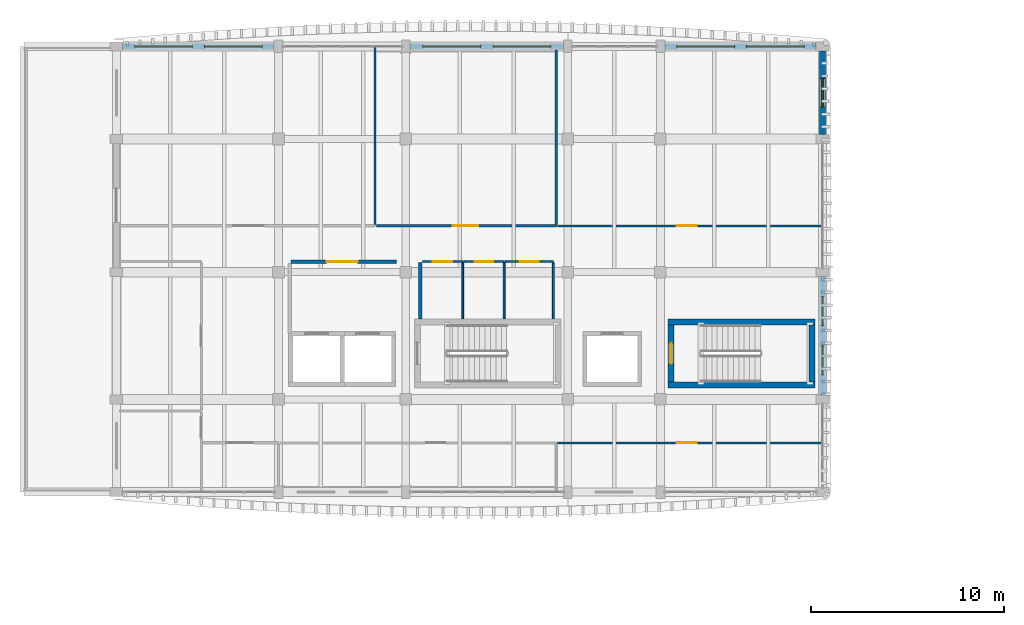
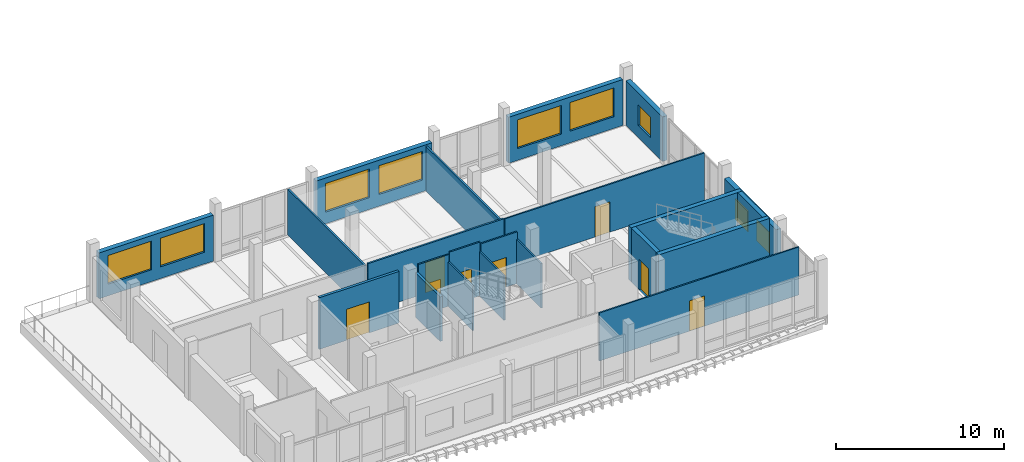
# One storey, part 11 of 20: 22 walls, 9 windows, 8 doors, 17 openings.
"""IFC4 building model written with IfcOpenShell, lengths in metres."""

from ifc_helpers import new_model, si_unit, direction, frame, frame_2d, origin, place, context, subcontext, project, spatial, rectangle, extrude, material, layer, layer_set, type_object, element, fill, save


model = new_model("IFC4")

# Units and contexts
model_context = context("Model", 3, precision=1e-05, world=origin(), true_north=direction((0.0, 1.0)))
body_context = subcontext(model_context, "Body", "Model", "MODEL_VIEW")
ifc_project = project(units=[si_unit("LENGTHUNIT", "METRE"), si_unit("AREAUNIT", "SQUARE_METRE"), si_unit("VOLUMEUNIT", "CUBIC_METRE"), si_unit("PLANEANGLEUNIT", "RADIAN"), si_unit("MASSUNIT", "GRAM", prefix="KILO")], contexts=[model_context])

# Site, building, storey
site_placement = place(None, origin())
site = spatial("IfcSite", under=ifc_project, at=site_placement, CompositionType="ELEMENT")
building_placement = place(site_placement, origin())
building = spatial("IfcBuilding", under=site, at=building_placement, Name="Dornvale Research Institute", CompositionType="ELEMENT")
storey_placement = place(building_placement, frame((0.0, 0.0, 34.199951171875)))
storey = spatial("IfcBuildingStorey", under=building, at=storey_placement, Name="L07", CompositionType="ELEMENT", Elevation=34.199951171875)

# Wall
ifc_material_1 = material(Name="Acoustic Insulated Double-Stud Laboratory Partition")
ifc_layer_1 = layer(ifc_material_1, 0.1201171875)
ifc_layer_set_1 = layer_set([ifc_layer_1], Name="Acoustic Insulated Double-Stud Laboratory Partition")
wall_type_1 = type_object("IfcWallType", Name="Partition_Dry_120", PredefinedType="PARTITIONING", material=ifc_layer_set_1)
wall_1_placement = place(storey_placement, frame((18.199951171875, 112.875, 0.0), z_axis=(0.0, 0.0, 1.0), x_axis=(0.0, 1.0, 0.0)))
element("IfcWall", 1, at=wall_1_placement, inside=storey, type_object=wall_type_1, Name="L07 V5 interior partition #549", PredefinedType="PARTITIONING", context=body_context, shape_type="SweptSolid", body=[
    extrude(rectangle(XDim=9.18505859375, YDim=0.1201171875, at=frame_2d((4.592529296875, 0.0))), origin(), (0.0, 0.0, 1.0), 3.330078125),
])

# Wall, opening, door
wall_2_placement = place(storey_placement, frame((18.27490234375, 112.800048828125, 0.0), z_axis=(0.0, 0.0, 1.0), x_axis=(1.0, 0.0, 0.0)))
wall_2 = element("IfcWall", 2, at=wall_2_placement, inside=storey, type_object=wall_type_1, Name="L07 V5 interior partition #550", PredefinedType="PARTITIONING", context=body_context, shape_type="SweptSolid", body=[
    extrude(rectangle(XDim=9.3251953125, YDim=0.1201171875, at=frame_2d((4.66259765625, 0.0))), origin(), (0.0, 0.0, 1.0), 3.530029296875),
])
opening_1_placement = place(wall_2_placement, frame((3.965087890625, 0.0, 0.0)))
opening_1 = element("IfcOpeningElement", 3, at=opening_1_placement, cuts=wall_2, Name="Opening ID-09", PredefinedType="OPENING", context=body_context, shape_type="SweptSolid", body=[
    extrude(rectangle(XDim=1.320068359375, YDim=2.199951171875, at=frame_2d((0.66015625, 1.10009765625))), frame((0.0, 0.074951171875, 0.0), z_axis=(0.0, -1.0, 0.0), x_axis=(1.0, 0.0, 0.0)), (0.0, 0.0, 1.0), 0.150146484375),
])
ifc_material_2 = material(Name="Phenolic-Faced Solid-Core Laboratory Door Assembly")
door_type_1 = type_object("IfcDoorType", Name="Door_DryLab_1320x2200", OperationType="SINGLE_SWING_LEFT", PredefinedType="DOOR", material=ifc_material_2)
door_1_placement = place(opening_1_placement, origin())
door_1 = element("IfcDoor", 4, at=door_1_placement, inside=storey, type_object=door_type_1, Name="L07 Earth Observation Remote Sensing Lab door #227", OperationType="SINGLE_SWING_RIGHT", OverallHeight=2.199951171875, OverallWidth=1.320068359375, PredefinedType="DOOR", context=body_context, shape_type="SweptSolid", body=[
    extrude(rectangle(XDim=1.320068359375, YDim=2.199951171875, at=frame_2d((0.66015625, 1.10009765625))), frame((0.0, 0.02490234375, 0.0), z_axis=(0.0, -1.0, 0.0), x_axis=(1.0, 0.0, 0.0)), (0.0, 0.0, 1.0), 0.050048828125),
])
fill(opening_1, door_1)

# Wall
wall_3_placement = place(storey_placement, frame((27.60009765625, 112.875, 0.0), z_axis=(0.0, 0.0, 1.0), x_axis=(0.0, 1.0, 0.0)))
element("IfcWall", 5, at=wall_3_placement, inside=storey, type_object=wall_type_1, Name="L07 V5 interior partition #551", PredefinedType="PARTITIONING", context=body_context, shape_type="SweptSolid", body=[
    extrude(rectangle(XDim=9.050048828125, YDim=0.1201171875, at=frame_2d((4.52490234375, 0.0))), origin(), (0.0, 0.0, 1.0), 3.22998046875),
])

# Wall, opening, door
ifc_material_3 = material(Name="Fire-Rated Gypsum Board on Cold-Formed Steel Studs", Category="steel")
ifc_layer_2 = layer(ifc_material_3, 0.179931640625)
ifc_layer_set_2 = layer_set([ifc_layer_2], Name="Fire-Rated Gypsum Board on Cold-Formed Steel Studs")
wall_type_2 = type_object("IfcWallType", Name="Partition_FireLobby_180", PredefinedType="PARTITIONING", material=ifc_layer_set_2)
wall_4_placement = place(storey_placement, frame((13.85009765625, 110.949951171875, 0.0), z_axis=(0.0, 0.0, 1.0), x_axis=(1.0, 0.0, 0.0)))
wall_4 = element("IfcWall", 6, at=wall_4_placement, inside=storey, type_object=wall_type_2, Name="L07 Fire Service Access Elevator Lobby north rated partition", PredefinedType="PARTITIONING", context=body_context, shape_type="SweptSolid", body=[
    extrude(rectangle(XDim=5.469970703125, YDim=0.179931640625, at=frame_2d((2.73486328125, 0.0))), origin(), (0.0, 0.0, 1.0), 3.7451171875),
])
opening_2_placement = place(wall_4_placement, frame((1.85009765625, 0.0, 0.0)))
opening_2 = element("IfcOpeningElement", 7, at=opening_2_placement, cuts=wall_4, Name="Opening FD-01", PredefinedType="OPENING", context=body_context, shape_type="SweptSolid", body=[
    extrude(rectangle(XDim=1.60009765625, YDim=2.25, at=frame_2d((0.800048828125, 1.125))), frame((0.0, 0.10498046875, 0.0), z_axis=(0.0, -1.0, 0.0), x_axis=(1.0, 0.0, 0.0)), (0.0, 0.0, 1.0), 0.2099609375),
])
ifc_material_4 = material(Name="Insulated Fire-Rated Hollow Metal Door Assembly")
door_type_2 = type_object("IfcDoorType", Name="Door_FireLobby_1600x2250", OperationType="SINGLE_SWING_LEFT", PredefinedType="DOOR", material=ifc_material_4)
door_2_placement = place(opening_2_placement, origin())
door_2 = element("IfcDoor", 8, at=door_2_placement, inside=storey, type_object=door_type_2, Name="L07 Fire Service Access Elevator Lobby door", OperationType="DOUBLE_DOOR_SINGLE_SWING", OverallHeight=2.25, OverallWidth=1.60009765625, PredefinedType="DOOR", context=body_context, shape_type="SweptSolid", body=[
    extrude(rectangle(XDim=1.60009765625, YDim=2.25, at=frame_2d((0.800048828125, 1.125))), frame((0.0, 0.02490234375, 0.0), z_axis=(0.0, -1.0, 0.0), x_axis=(1.0, 0.0, 0.0)), (0.0, 0.0, 1.0), 0.050048828125),
])
fill(opening_2, door_2)

# Wall
wall_5_placement = place(storey_placement, frame((20.56005859375, 107.97998046875, 0.0), z_axis=(0.0, 0.0, 1.0), x_axis=(0.0, 1.0, 0.0)))
element("IfcWall", 9, at=wall_5_placement, inside=storey, type_object=wall_type_2, Name="L07 Fire Service Access Elevator Lobby east rated partition", PredefinedType="PARTITIONING", context=body_context, shape_type="SweptSolid", body=[
    extrude(rectangle(XDim=2.909912109375, YDim=0.179931640625, at=frame_2d((1.455078125, 0.0))), origin(), (0.0, 0.0, 1.0), 3.22998046875),
])

# Wall, opening, door
ifc_material_5 = material(Name="Acoustic Insulated Double-Stud Laboratory Partition")
ifc_layer_3 = layer(ifc_material_5, 0.10009765625)
ifc_layer_set_3 = layer_set([ifc_layer_3], Name="Acoustic Insulated Double-Stud Laboratory Partition")
wall_type_3 = type_object("IfcWallType", Name="Partition_Office_100", PredefinedType="PARTITIONING", material=ifc_layer_set_3)
wall_6_placement = place(storey_placement, frame((20.6650390625, 110.949951171875, 0.0), z_axis=(0.0, 0.0, 1.0), x_axis=(1.0, 0.0, 0.0)))
wall_6 = element("IfcWall", 10, at=wall_6_placement, inside=storey, type_object=wall_type_3, Name="L07 V5 interior partition #539", PredefinedType="PARTITIONING", context=body_context, shape_type="SweptSolid", body=[
    extrude(rectangle(XDim=2.0849609375, YDim=0.10009765625, at=frame_2d((1.04248046875, 0.0))), origin(), (0.0, 0.0, 1.0), 3.7451171875),
])
opening_3_placement = place(wall_6_placement, frame((0.534912109375, 0.0, 0.0)))
opening_3 = element("IfcOpeningElement", 11, at=opening_3_placement, cuts=wall_6, Name="Opening ID-24", PredefinedType="OPENING", context=body_context, shape_type="SweptSolid", body=[
    extrude(rectangle(XDim=1.0, YDim=2.14990234375, at=frame_2d((0.5, 1.074951171875))), frame((0.0, 0.06494140625, 0.0), z_axis=(0.0, -1.0, 0.0), x_axis=(1.0, 0.0, 0.0)), (0.0, 0.0, 1.0), 0.130126953125),
])
ifc_material_6 = material(Name="Phenolic-Faced Solid-Core Laboratory Door Assembly")
door_type_3 = type_object("IfcDoorType", Name="Door_AccWC_1000x2150", OperationType="SINGLE_SWING_LEFT", PredefinedType="DOOR", material=ifc_material_6)
door_3_placement = place(opening_3_placement, origin())
door_3 = element("IfcDoor", 12, at=door_3_placement, inside=storey, type_object=door_type_3, Name="L07 Male Restroom L07 door #222", OperationType="SINGLE_SWING_LEFT", OverallHeight=2.14990234375, OverallWidth=1.0, PredefinedType="DOOR", context=body_context, shape_type="SweptSolid", body=[
    extrude(rectangle(XDim=1.0, YDim=2.14990234375, at=frame_2d((0.5, 1.074951171875))), frame((0.0, 0.02490234375, 0.0), z_axis=(0.0, -1.0, 0.0), x_axis=(1.0, 0.0, 0.0)), (0.0, 0.0, 1.0), 0.050048828125),
])
fill(opening_3, door_3)

# Wall
wall_7_placement = place(storey_placement, frame((22.75, 107.97998046875, 0.0), z_axis=(0.0, 0.0, 1.0), x_axis=(0.0, 1.0, 0.0)))
element("IfcWall", 13, at=wall_7_placement, inside=storey, type_object=wall_type_3, Name="L07 V5 interior partition #540", PredefinedType="PARTITIONING", context=body_context, shape_type="SweptSolid", body=[
    extrude(rectangle(XDim=2.905029296875, YDim=0.10009765625, at=frame_2d((1.45263671875, 0.0))), origin(), (0.0, 0.0, 1.0), 3.22998046875),
])

# Wall, opening, door
wall_8_placement = place(storey_placement, frame((22.81494140625, 110.949951171875, 0.0), z_axis=(0.0, 0.0, 1.0), x_axis=(1.0, 0.0, 0.0)))
wall_8 = element("IfcWall", 14, at=wall_8_placement, inside=storey, type_object=wall_type_3, Name="L07 V5 interior partition #541", PredefinedType="PARTITIONING", context=body_context, shape_type="SweptSolid", body=[
    extrude(rectangle(XDim=2.0849609375, YDim=0.10009765625, at=frame_2d((1.04248046875, 0.0))), origin(), (0.0, 0.0, 1.0), 3.900146484375),
])
opening_4_placement = place(wall_8_placement, frame((0.56005859375, 0.0, 0.0)))
opening_4 = element("IfcOpeningElement", 15, at=opening_4_placement, cuts=wall_8, Name="Opening ID-23", PredefinedType="OPENING", context=body_context, shape_type="SweptSolid", body=[
    extrude(rectangle(XDim=0.949951171875, YDim=2.14990234375, at=frame_2d((0.47509765625, 1.074951171875))), frame((0.0, 0.06494140625, 0.0), z_axis=(0.0, -1.0, 0.0), x_axis=(1.0, 0.0, 0.0)), (0.0, 0.0, 1.0), 0.130126953125),
])
ifc_material_7 = material(Name="Phenolic-Faced Solid-Core Laboratory Door Assembly")
door_type_4 = type_object("IfcDoorType", Name="Door_WC_950x2150", OperationType="SINGLE_SWING_LEFT", PredefinedType="DOOR", material=ifc_material_7)
door_4_placement = place(opening_4_placement, origin())
door_4 = element("IfcDoor", 16, at=door_4_placement, inside=storey, type_object=door_type_4, Name="L07 Female Restroom L07 door #223", OperationType="SINGLE_SWING_RIGHT", OverallHeight=2.14990234375, OverallWidth=0.949951171875, PredefinedType="DOOR", context=body_context, shape_type="SweptSolid", body=[
    extrude(rectangle(XDim=0.949951171875, YDim=2.14990234375, at=frame_2d((0.47509765625, 1.074951171875))), frame((0.0, 0.02490234375, 0.0), z_axis=(0.0, -1.0, 0.0), x_axis=(1.0, 0.0, 0.0)), (0.0, 0.0, 1.0), 0.050048828125),
])
fill(opening_4, door_4)

# Wall
wall_9_placement = place(storey_placement, frame((24.89990234375, 107.97998046875, 0.0), z_axis=(0.0, 0.0, 1.0), x_axis=(0.0, 1.0, 0.0)))
element("IfcWall", 17, at=wall_9_placement, inside=storey, type_object=wall_type_3, Name="L07 V5 interior partition #542", PredefinedType="PARTITIONING", context=body_context, shape_type="SweptSolid", body=[
    extrude(rectangle(XDim=2.905029296875, YDim=0.10009765625, at=frame_2d((1.45263671875, 0.0))), origin(), (0.0, 0.0, 1.0), 3.22998046875),
])

# Wall, opening, door
wall_10_placement = place(storey_placement, frame((24.965087890625, 110.949951171875, 0.0), z_axis=(0.0, 0.0, 1.0), x_axis=(1.0, 0.0, 0.0)))
wall_10 = element("IfcWall", 18, at=wall_10_placement, inside=storey, type_object=wall_type_3, Name="L07 V5 interior partition #543", PredefinedType="PARTITIONING", context=body_context, shape_type="SweptSolid", body=[
    extrude(rectangle(XDim=2.48486328125, YDim=0.10009765625, at=frame_2d((1.242431640625, 0.0))), origin(), (0.0, 0.0, 1.0), 3.7451171875),
])
opening_5_placement = place(wall_10_placement, frame((0.735107421875, 0.0, 0.0)))
opening_5 = element("IfcOpeningElement", 19, at=opening_5_placement, cuts=wall_10, Name="Opening ID-24", PredefinedType="OPENING", context=body_context, shape_type="SweptSolid", body=[
    extrude(rectangle(XDim=1.0, YDim=2.14990234375, at=frame_2d((0.5, 1.074951171875))), frame((0.0, 0.06494140625, 0.0), z_axis=(0.0, -1.0, 0.0), x_axis=(1.0, 0.0, 0.0)), (0.0, 0.0, 1.0), 0.130126953125),
])
door_5_placement = place(opening_5_placement, origin())
door_5 = element("IfcDoor", 20, at=door_5_placement, inside=storey, type_object=door_type_3, Name="L07 Accessible Restroom L07 door #224", OperationType="SINGLE_SWING_LEFT", OverallHeight=2.14990234375, OverallWidth=1.0, PredefinedType="DOOR", context=body_context, shape_type="SweptSolid", body=[
    extrude(rectangle(XDim=1.0, YDim=2.14990234375, at=frame_2d((0.5, 1.074951171875))), frame((0.0, 0.02490234375, 0.0), z_axis=(0.0, -1.0, 0.0), x_axis=(1.0, 0.0, 0.0)), (0.0, 0.0, 1.0), 0.050048828125),
])
fill(opening_5, door_5)

# Wall
wall_11_placement = place(storey_placement, frame((27.449951171875, 107.97998046875, 0.0), z_axis=(0.0, 0.0, 1.0), x_axis=(0.0, 1.0, 0.0)))
element("IfcWall", 21, at=wall_11_placement, inside=storey, type_object=wall_type_3, Name="L07 V5 interior partition #544", PredefinedType="PARTITIONING", context=body_context, shape_type="SweptSolid", body=[
    extrude(rectangle(XDim=2.905029296875, YDim=0.10009765625, at=frame_2d((1.45263671875, 0.0))), origin(), (0.0, 0.0, 1.0), 3.22998046875),
])

# Wall, opening, door
wall_12_placement = place(storey_placement, frame((27.675048828125, 112.800048828125, 0.0), z_axis=(0.0, 0.0, 1.0), x_axis=(1.0, 0.0, 0.0)))
wall_12 = element("IfcWall", 22, at=wall_12_placement, inside=storey, type_object=wall_type_3, Name="L07 V5 interior partition #552", PredefinedType="PARTITIONING", context=body_context, shape_type="SweptSolid", body=[
    extrude(rectangle(XDim=13.68505859375, YDim=0.10009765625, at=frame_2d((6.842529296875, 0.0))), origin(), (0.0, 0.0, 1.0), 3.47998046875),
])
opening_6_placement = place(wall_12_placement, frame((6.175048828125, 0.0, 0.0)))
opening_6 = element("IfcOpeningElement", 23, at=opening_6_placement, cuts=wall_12, Name="Opening ID-20", PredefinedType="OPENING", context=body_context, shape_type="SweptSolid", body=[
    extrude(rectangle(XDim=1.02001953125, YDim=2.199951171875, at=frame_2d((0.510009765625, 1.10009765625))), frame((0.0, 0.06494140625, 0.0), z_axis=(0.0, -1.0, 0.0), x_axis=(1.0, 0.0, 0.0)), (0.0, 0.0, 1.0), 0.130126953125),
])
ifc_material_8 = material(Name="Phenolic-Faced Solid-Core Laboratory Door Assembly")
door_type_5 = type_object("IfcDoorType", Name="Door_WriteUp_1020x2200", OperationType="SINGLE_SWING_LEFT", PredefinedType="DOOR", material=ifc_material_8)
door_6_placement = place(opening_6_placement, origin())
door_6 = element("IfcDoor", 24, at=door_6_placement, inside=storey, type_object=door_type_5, Name="L07 Researcher Write-Up Studio L07 door #228", OperationType="SINGLE_SWING_LEFT", OverallHeight=2.199951171875, OverallWidth=1.02001953125, PredefinedType="DOOR", context=body_context, shape_type="SweptSolid", body=[
    extrude(rectangle(XDim=1.02001953125, YDim=2.199951171875, at=frame_2d((0.510009765625, 1.10009765625))), frame((0.0, 0.02490234375, 0.0), z_axis=(0.0, -1.0, 0.0), x_axis=(1.0, 0.0, 0.0)), (0.0, 0.0, 1.0), 0.050048828125),
])
fill(opening_6, door_6)

wall_13_placement = place(storey_placement, frame((27.6650390625, 101.550048828125, 0.0), z_axis=(0.0, 0.0, 1.0), x_axis=(1.0, 0.0, 0.0)))
wall_13 = element("IfcWall", 25, at=wall_13_placement, inside=storey, type_object=wall_type_3, Name="L07 V5 interior partition #558", PredefinedType="PARTITIONING", context=body_context, shape_type="SweptSolid", body=[
    extrude(rectangle(XDim=13.695068359375, YDim=0.10009765625, at=frame_2d((6.84765625, 0.0))), origin(), (0.0, 0.0, 1.0), 3.47998046875),
])
opening_7_placement = place(wall_13_placement, frame((6.18505859375, 0.0, 0.0)))
opening_7 = element("IfcOpeningElement", 26, at=opening_7_placement, cuts=wall_13, Name="Opening ID-20", PredefinedType="OPENING", context=body_context, shape_type="SweptSolid", body=[
    extrude(rectangle(XDim=1.02001953125, YDim=2.199951171875, at=frame_2d((0.510009765625, 1.10009765625))), frame((0.0, 0.06494140625, 0.0), z_axis=(0.0, -1.0, 0.0), x_axis=(1.0, 0.0, 0.0)), (0.0, 0.0, 1.0), 0.130126953125),
])
door_7_placement = place(opening_7_placement, origin())
door_7 = element("IfcDoor", 27, at=door_7_placement, inside=storey, type_object=door_type_5, Name="L07 Academic Write-Up Studio L07-S door #232", OperationType="SINGLE_SWING_LEFT", OverallHeight=2.199951171875, OverallWidth=1.02001953125, PredefinedType="DOOR", context=body_context, shape_type="SweptSolid", body=[
    extrude(rectangle(XDim=1.02001953125, YDim=2.199951171875, at=frame_2d((0.510009765625, 1.10009765625))), frame((0.0, 0.02490234375, 0.0), z_axis=(0.0, -1.0, 0.0), x_axis=(1.0, 0.0, 0.0)), (0.0, 0.0, 1.0), 0.050048828125),
])
fill(opening_7, door_7)

# Walls
ifc_material_9 = material(Name="Concrete f'c 50 MPa (C40/50)", Category="concrete")
ifc_layer_4 = layer(ifc_material_9, 0.300048828125)
ifc_layer_set_4 = layer_set([ifc_layer_4], Name="Concrete f'c 50 MPa (C40/50)")
wall_type_4 = type_object("IfcWallType", Name="ShearWall_Core_300", PredefinedType="SHEAR", material=ifc_layer_set_4)
for number, where, z_axis, x_axis, name in (
    (28, (33.39990234375, 104.550048828125, 0.0), (0.0, 0.0, 1.0), (1.0, 0.0, 0.0), "L07 ST-2 shaft shear wall south"),
    (29, (33.39990234375, 107.81005859375, 0.0), (0.0, 0.0, 1.0), (1.0, 0.0, 0.0), "L07 ST-2 shaft shear wall north"),
):
    element("IfcWall", number, at=place(storey_placement, frame(where, z_axis=z_axis, x_axis=x_axis)), inside=storey, type_object=wall_type_4, Name=name, PredefinedType="SHEAR", context=body_context, shape_type="SweptSolid", body=[
        extrude(rectangle(XDim=7.60009765625, YDim=0.300048828125, at=frame_2d((3.800048828125, 0.0))), origin(), (0.0, 0.0, 1.0), 3.920166015625),
    ])

# Wall, opening, door
wall_14_placement = place(storey_placement, frame((33.550048828125, 104.699951171875, 0.0), z_axis=(0.0, 0.0, 1.0), x_axis=(0.0, 1.0, 0.0)))
wall_14 = element("IfcWall", 30, at=wall_14_placement, inside=storey, type_object=wall_type_4, Name="L07 ST-2 shaft shear wall west", PredefinedType="SHEAR", context=body_context, shape_type="SweptSolid", body=[
    extrude(rectangle(XDim=2.9599609375, YDim=0.300048828125, at=frame_2d((1.47998046875, 0.0))), origin(), (0.0, 0.0, 1.0), 3.920166015625),
])
opening_8_placement = place(wall_14_placement, frame((0.93994140625, 0.0, 0.0)))
opening_8 = element("IfcOpeningElement", 31, at=opening_8_placement, cuts=wall_14, Name="Opening SD-02", PredefinedType="OPENING", context=body_context, shape_type="SweptSolid", body=[
    extrude(rectangle(XDim=1.080078125, YDim=2.199951171875, at=frame_2d((0.5400390625, 1.10009765625))), frame((0.0, 0.1650390625, 0.0), z_axis=(0.0, -1.0, 0.0), x_axis=(1.0, 0.0, 0.0)), (0.0, 0.0, 1.0), 0.330078125),
])
ifc_material_10 = material(Name="Insulated Fire-Rated Hollow Metal Door Assembly")
door_type_6 = type_object("IfcDoorType", Name="Door_Stair_1080x2200", OperationType="SINGLE_SWING_LEFT", PredefinedType="DOOR", material=ifc_material_10)
door_8_placement = place(opening_8_placement, origin())
door_8 = element("IfcDoor", 32, at=door_8_placement, inside=storey, type_object=door_type_6, Name="L07 ST-2 exit stair door #21", OperationType="SINGLE_SWING_RIGHT", OverallHeight=2.199951171875, OverallWidth=1.080078125, PredefinedType="DOOR", context=body_context, shape_type="SweptSolid", body=[
    extrude(rectangle(XDim=1.080078125, YDim=2.199951171875, at=frame_2d((0.5400390625, 1.10009765625))), frame((0.0, 0.02490234375, 0.0), z_axis=(0.0, -1.0, 0.0), x_axis=(1.0, 0.0, 0.0)), (0.0, 0.0, 1.0), 0.050048828125),
])
fill(opening_8, door_8)

# Wall
wall_15_placement = place(storey_placement, frame((40.85009765625, 104.699951171875, 0.0), z_axis=(0.0, 0.0, 1.0), x_axis=(0.0, 1.0, 0.0)))
element("IfcWall", 33, at=wall_15_placement, inside=storey, type_object=wall_type_4, Name="L07 ST-2 shaft shear wall east", PredefinedType="SHEAR", context=body_context, shape_type="SweptSolid", body=[
    extrude(rectangle(XDim=2.9599609375, YDim=0.300048828125, at=frame_2d((1.47998046875, 0.0))), origin(), (0.0, 0.0, 1.0), 3.920166015625),
])

# Wall, openings, windows
ifc_material_11 = material(Name="Catalan Pressed Brick and Insulated Cavity Assembly", Category="masonry")
ifc_layer_5 = layer(ifc_material_11, 0.320068359375)
ifc_layer_set_5 = layer_set([ifc_layer_5], Name="Catalan Pressed Brick and Insulated Cavity Assembly")
wall_type_5 = type_object("IfcWallType", Name="StandardWall_BrickCavity_320", PredefinedType="STANDARD", material=ifc_layer_set_5)
wall_16_placement = place(storey_placement, frame((5.125, 122.10009765625, 0.0), z_axis=(0.0, 0.0, 1.0), x_axis=(1.0, 0.0, 0.0)))
wall_16 = element("IfcWall", 34, at=wall_16_placement, inside=storey, type_object=wall_type_5, Name="L07 V5 north exterior wall #385", PredefinedType="STANDARD", context=body_context, shape_type="SweptSolid", body=[
    extrude(rectangle(XDim=7.85009765625, YDim=0.320068359375, at=frame_2d((3.925048828125, 0.0))), origin(), (0.0, 0.0, 1.0), 3.330078125),
])
opening_9_placement = place(wall_16_placement, frame((0.61669921875, 0.0, 0.85009765625)))
opening_9 = element("IfcOpeningElement", 35, at=opening_9_placement, cuts=wall_16, Name="Opening W-48", PredefinedType="OPENING", context=body_context, shape_type="SweptSolid", body=[
    extrude(rectangle(XDim=3.0, YDim=2.080078125, at=frame_2d((1.5, 1.0400390625))), frame((0.0, 0.175048828125, 0.0), z_axis=(0.0, -1.0, 0.0), x_axis=(1.0, 0.0, 0.0)), (0.0, 0.0, 1.0), 0.35009765625),
])
opening_10_placement = place(wall_16_placement, frame((4.2333984375, 0.0, 0.85009765625)))
opening_10 = element("IfcOpeningElement", 36, at=opening_10_placement, cuts=wall_16, Name="Opening W-48", PredefinedType="OPENING", context=body_context, shape_type="SweptSolid", body=[
    extrude(rectangle(XDim=3.0, YDim=2.080078125, at=frame_2d((1.5, 1.0400390625))), frame((0.0, 0.175048828125, 0.0), z_axis=(0.0, -1.0, 0.0), x_axis=(1.0, 0.0, 0.0)), (0.0, 0.0, 1.0), 0.35009765625),
])
ifc_material_12 = material(Name="Low-E Argon Double Insulating Glazing Unit", Category="glass")
window_type_1 = type_object("IfcWindowType", Name="Window_Alu_3000x2080_48", PartitioningType="DOUBLE_PANEL_VERTICAL", PredefinedType="WINDOW", material=ifc_material_12)
window_1_placement = place(opening_9_placement, origin())
window_1 = element("IfcWindow", 37, at=window_1_placement, inside=storey, type_object=window_type_1, Name="L07 V5 facade window W-48 #509", OverallHeight=2.080078125, OverallWidth=3.0, PartitioningType="DOUBLE_PANEL_VERTICAL", PredefinedType="WINDOW", context=body_context, shape_type="SweptSolid", body=[
    extrude(rectangle(XDim=3.0, YDim=2.080078125, at=frame_2d((1.5, 1.0400390625))), frame((0.0, 0.030029296875, 0.0), z_axis=(0.0, -1.0, 0.0), x_axis=(1.0, 0.0, 0.0)), (0.0, 0.0, 1.0), 0.06005859375),
])
fill(opening_9, window_1)
window_2_placement = place(opening_10_placement, origin())
window_2 = element("IfcWindow", 38, at=window_2_placement, inside=storey, type_object=window_type_1, Name="L07 V5 facade window W-48 #510", OverallHeight=2.080078125, OverallWidth=3.0, PartitioningType="DOUBLE_PANEL_VERTICAL", PredefinedType="WINDOW", context=body_context, shape_type="SweptSolid", body=[
    extrude(rectangle(XDim=3.0, YDim=2.080078125, at=frame_2d((1.5, 1.0400390625))), frame((0.0, 0.030029296875, 0.0), z_axis=(0.0, -1.0, 0.0), x_axis=(1.0, 0.0, 0.0)), (0.0, 0.0, 1.0), 0.06005859375),
])
fill(opening_10, window_2)

wall_17_placement = place(storey_placement, frame((20.02490234375, 122.10009765625, 0.0), z_axis=(0.0, 0.0, 1.0), x_axis=(1.0, 0.0, 0.0)))
wall_17 = element("IfcWall", 39, at=wall_17_placement, inside=storey, type_object=wall_type_5, Name="L07 V5 north exterior wall #386", PredefinedType="STANDARD", context=body_context, shape_type="SweptSolid", body=[
    extrude(rectangle(XDim=7.9501953125, YDim=0.320068359375, at=frame_2d((3.97509765625, 0.0))), origin(), (0.0, 0.0, 1.0), 3.330078125),
])
opening_11_placement = place(wall_17_placement, frame((0.64990234375, 0.0, 0.85009765625)))
opening_11 = element("IfcOpeningElement", 40, at=opening_11_placement, cuts=wall_17, Name="Opening W-48", PredefinedType="OPENING", context=body_context, shape_type="SweptSolid", body=[
    extrude(rectangle(XDim=3.0, YDim=2.080078125, at=frame_2d((1.5, 1.0400390625))), frame((0.0, 0.175048828125, 0.0), z_axis=(0.0, -1.0, 0.0), x_axis=(1.0, 0.0, 0.0)), (0.0, 0.0, 1.0), 0.35009765625),
])
opening_12_placement = place(wall_17_placement, frame((4.300048828125, 0.0, 0.85009765625)))
opening_12 = element("IfcOpeningElement", 41, at=opening_12_placement, cuts=wall_17, Name="Opening W-48", PredefinedType="OPENING", context=body_context, shape_type="SweptSolid", body=[
    extrude(rectangle(XDim=3.0, YDim=2.080078125, at=frame_2d((1.5, 1.0400390625))), frame((0.0, 0.175048828125, 0.0), z_axis=(0.0, -1.0, 0.0), x_axis=(1.0, 0.0, 0.0)), (0.0, 0.0, 1.0), 0.35009765625),
])
window_3_placement = place(opening_11_placement, origin())
window_3 = element("IfcWindow", 42, at=window_3_placement, inside=storey, type_object=window_type_1, Name="L07 V5 facade window W-48 #511", OverallHeight=2.080078125, OverallWidth=3.0, PartitioningType="DOUBLE_PANEL_VERTICAL", PredefinedType="WINDOW", context=body_context, shape_type="SweptSolid", body=[
    extrude(rectangle(XDim=3.0, YDim=2.080078125, at=frame_2d((1.5, 1.0400390625))), frame((0.0, 0.030029296875, 0.0), z_axis=(0.0, -1.0, 0.0), x_axis=(1.0, 0.0, 0.0)), (0.0, 0.0, 1.0), 0.06005859375),
])
fill(opening_11, window_3)
window_4_placement = place(opening_12_placement, origin())
window_4 = element("IfcWindow", 43, at=window_4_placement, inside=storey, type_object=window_type_1, Name="L07 V5 facade window W-48 #512", OverallHeight=2.080078125, OverallWidth=3.0, PartitioningType="DOUBLE_PANEL_VERTICAL", PredefinedType="WINDOW", context=body_context, shape_type="SweptSolid", body=[
    extrude(rectangle(XDim=3.0, YDim=2.080078125, at=frame_2d((1.5, 1.0400390625))), frame((0.0, 0.030029296875, 0.0), z_axis=(0.0, -1.0, 0.0), x_axis=(1.0, 0.0, 0.0)), (0.0, 0.0, 1.0), 0.06005859375),
])
fill(opening_12, window_4)

wall_18_placement = place(storey_placement, frame((33.22509765625, 122.10009765625, 0.0), z_axis=(0.0, 0.0, 1.0), x_axis=(1.0, 0.0, 0.0)))
wall_18 = element("IfcWall", 44, at=wall_18_placement, inside=storey, type_object=wall_type_5, Name="L07 V5 north exterior wall #387", PredefinedType="STANDARD", context=body_context, shape_type="SweptSolid", body=[
    extrude(rectangle(XDim=7.849853515625, YDim=0.320068359375, at=frame_2d((3.9248046875, 0.0))), origin(), (0.0, 0.0, 1.0), 3.330078125),
])
opening_13_placement = place(wall_18_placement, frame((0.61669921875, 0.0, 0.85009765625)))
opening_13 = element("IfcOpeningElement", 45, at=opening_13_placement, cuts=wall_18, Name="Opening W-48", PredefinedType="OPENING", context=body_context, shape_type="SweptSolid", body=[
    extrude(rectangle(XDim=3.0, YDim=2.080078125, at=frame_2d((1.5, 1.0400390625))), frame((0.0, 0.175048828125, 0.0), z_axis=(0.0, -1.0, 0.0), x_axis=(1.0, 0.0, 0.0)), (0.0, 0.0, 1.0), 0.35009765625),
])
opening_14_placement = place(wall_18_placement, frame((4.2333984375, 0.0, 0.85009765625)))
opening_14 = element("IfcOpeningElement", 46, at=opening_14_placement, cuts=wall_18, Name="Opening W-48", PredefinedType="OPENING", context=body_context, shape_type="SweptSolid", body=[
    extrude(rectangle(XDim=3.0, YDim=2.080078125, at=frame_2d((1.5, 1.0400390625))), frame((0.0, 0.175048828125, 0.0), z_axis=(0.0, -1.0, 0.0), x_axis=(1.0, 0.0, 0.0)), (0.0, 0.0, 1.0), 0.35009765625),
])
window_5_placement = place(opening_13_placement, origin())
window_5 = element("IfcWindow", 47, at=window_5_placement, inside=storey, type_object=window_type_1, Name="L07 V5 facade window W-48 #513", OverallHeight=2.080078125, OverallWidth=3.0, PartitioningType="DOUBLE_PANEL_VERTICAL", PredefinedType="WINDOW", context=body_context, shape_type="SweptSolid", body=[
    extrude(rectangle(XDim=3.0, YDim=2.080078125, at=frame_2d((1.5, 1.0400390625))), frame((0.0, 0.030029296875, 0.0), z_axis=(0.0, -1.0, 0.0), x_axis=(1.0, 0.0, 0.0)), (0.0, 0.0, 1.0), 0.06005859375),
])
fill(opening_13, window_5)
window_6_placement = place(opening_14_placement, origin())
window_6 = element("IfcWindow", 48, at=window_6_placement, inside=storey, type_object=window_type_1, Name="L07 V5 facade window W-48 #514", OverallHeight=2.080078125, OverallWidth=3.0, PartitioningType="DOUBLE_PANEL_VERTICAL", PredefinedType="WINDOW", context=body_context, shape_type="SweptSolid", body=[
    extrude(rectangle(XDim=3.0, YDim=2.080078125, at=frame_2d((1.5, 1.0400390625))), frame((0.0, 0.030029296875, 0.0), z_axis=(0.0, -1.0, 0.0), x_axis=(1.0, 0.0, 0.0)), (0.0, 0.0, 1.0), 0.06005859375),
])
fill(opening_14, window_6)

# Wall, opening, window
wall_19_placement = place(storey_placement, frame((41.39990234375, 121.875, 0.0), z_axis=(0.0, 0.0, 1.0), x_axis=(0.0, -1.0, 0.0)))
wall_19 = element("IfcWall", 49, at=wall_19_placement, inside=storey, type_object=wall_type_5, Name="L07 V5 east exterior wall #388", PredefinedType="STANDARD", context=body_context, shape_type="SweptSolid", body=[
    extrude(rectangle(XDim=4.35009765625, YDim=0.320068359375, at=frame_2d((2.175048828125, 0.0))), origin(), (0.0, 0.0, 1.0), 3.22998046875),
])
opening_15_placement = place(wall_19_placement, frame((1.425048828125, 0.0, 0.85009765625)))
opening_15 = element("IfcOpeningElement", 50, at=opening_15_placement, cuts=wall_19, Name="Opening W-03", PredefinedType="OPENING", context=body_context, shape_type="SweptSolid", body=[
    extrude(rectangle(XDim=1.5, YDim=1.5, at=frame_2d((0.75, 0.75))), frame((0.0, 0.175048828125, 0.0), z_axis=(0.0, -1.0, 0.0), x_axis=(1.0, 0.0, 0.0)), (0.0, 0.0, 1.0), 0.35009765625),
])
ifc_material_13 = material(Name="Low-E Argon Double Insulating Glazing Unit", Category="glass")
window_type_2 = type_object("IfcWindowType", Name="Window_Alu_1500x1500_03", PartitioningType="SINGLE_PANEL", PredefinedType="WINDOW", material=ifc_material_13)
window_7_placement = place(opening_15_placement, origin())
window_7 = element("IfcWindow", 51, at=window_7_placement, inside=storey, type_object=window_type_2, Name="L07 V5 facade window W-03 #515", OverallHeight=1.5, OverallWidth=1.5, PartitioningType="SINGLE_PANEL", PredefinedType="WINDOW", context=body_context, shape_type="SweptSolid", body=[
    extrude(rectangle(XDim=1.5, YDim=1.5, at=frame_2d((0.75, 0.75))), frame((0.0, 0.030029296875, 0.0), z_axis=(0.0, -1.0, 0.0), x_axis=(1.0, 0.0, 0.0)), (0.0, 0.0, 1.0), 0.06005859375),
])
fill(opening_15, window_7)

# Wall, openings, windows
wall_20_placement = place(storey_placement, frame((41.39990234375, 110.175048828125, 0.0), z_axis=(0.0, 0.0, 1.0), x_axis=(0.0, -1.0, 0.0)))
wall_20 = element("IfcWall", 52, at=wall_20_placement, inside=storey, type_object=wall_type_5, Name="L07 V5 east exterior wall #389", PredefinedType="STANDARD", context=body_context, shape_type="SweptSolid", body=[
    extrude(rectangle(XDim=6.150146484375, YDim=0.320068359375, at=frame_2d((3.0751953125, 0.0))), origin(), (0.0, 0.0, 1.0), 3.22998046875),
])
opening_16_placement = place(wall_20_placement, frame((1.050048828125, 0.0, 0.85009765625)))
opening_16 = element("IfcOpeningElement", 53, at=opening_16_placement, cuts=wall_20, Name="Opening W-03", PredefinedType="OPENING", context=body_context, shape_type="SweptSolid", body=[
    extrude(rectangle(XDim=1.5, YDim=1.5, at=frame_2d((0.75, 0.75))), frame((0.0, 0.175048828125, 0.0), z_axis=(0.0, -1.0, 0.0), x_axis=(1.0, 0.0, 0.0)), (0.0, 0.0, 1.0), 0.35009765625),
])
opening_17_placement = place(wall_20_placement, frame((3.60009765625, 0.0, 0.85009765625)))
opening_17 = element("IfcOpeningElement", 54, at=opening_17_placement, cuts=wall_20, Name="Opening W-03", PredefinedType="OPENING", context=body_context, shape_type="SweptSolid", body=[
    extrude(rectangle(XDim=1.5, YDim=1.5, at=frame_2d((0.75, 0.75))), frame((0.0, 0.175048828125, 0.0), z_axis=(0.0, -1.0, 0.0), x_axis=(1.0, 0.0, 0.0)), (0.0, 0.0, 1.0), 0.35009765625),
])
window_8_placement = place(opening_16_placement, origin())
window_8 = element("IfcWindow", 55, at=window_8_placement, inside=storey, type_object=window_type_2, Name="L07 V5 facade window W-03 #516", OverallHeight=1.5, OverallWidth=1.5, PartitioningType="SINGLE_PANEL", PredefinedType="WINDOW", context=body_context, shape_type="SweptSolid", body=[
    extrude(rectangle(XDim=1.5, YDim=1.5, at=frame_2d((0.75, 0.75))), frame((0.0, 0.030029296875, 0.0), z_axis=(0.0, -1.0, 0.0), x_axis=(1.0, 0.0, 0.0)), (0.0, 0.0, 1.0), 0.06005859375),
])
fill(opening_16, window_8)
window_9_placement = place(opening_17_placement, origin())
window_9 = element("IfcWindow", 56, at=window_9_placement, inside=storey, type_object=window_type_2, Name="L07 V5 facade window W-03 #517", OverallHeight=1.5, OverallWidth=1.5, PartitioningType="SINGLE_PANEL", PredefinedType="WINDOW", context=body_context, shape_type="SweptSolid", body=[
    extrude(rectangle(XDim=1.5, YDim=1.5, at=frame_2d((0.75, 0.75))), frame((0.0, 0.030029296875, 0.0), z_axis=(0.0, -1.0, 0.0), x_axis=(1.0, 0.0, 0.0)), (0.0, 0.0, 1.0), 0.06005859375),
])
fill(opening_17, window_9)

save(model, "model.ifc")
